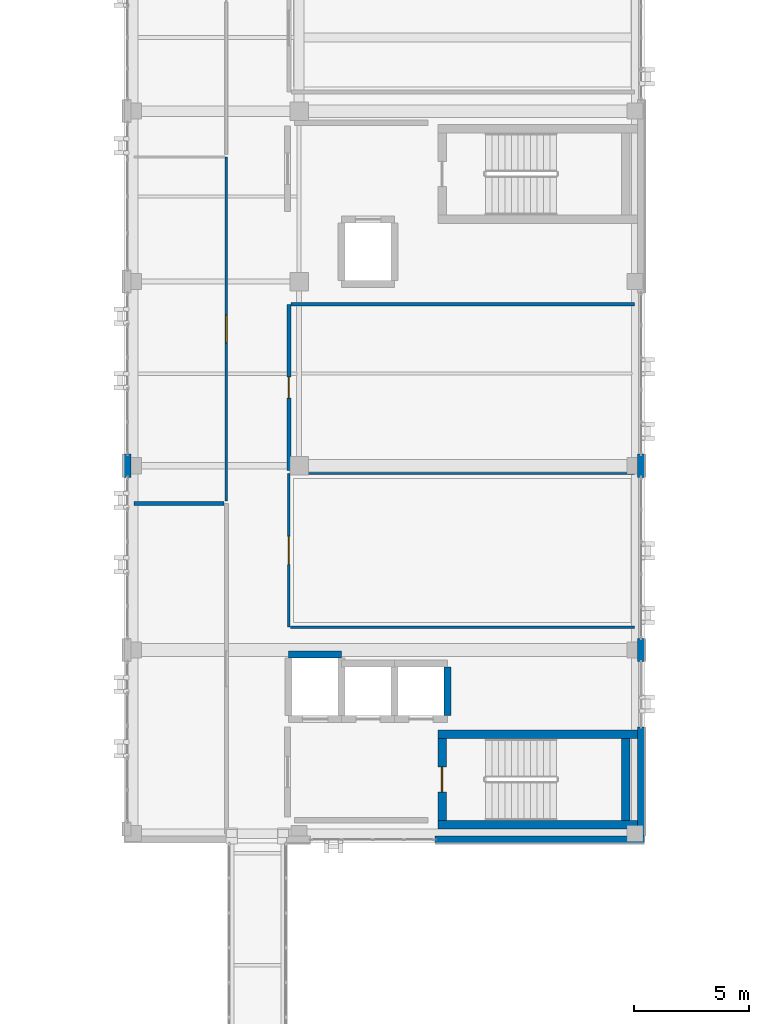
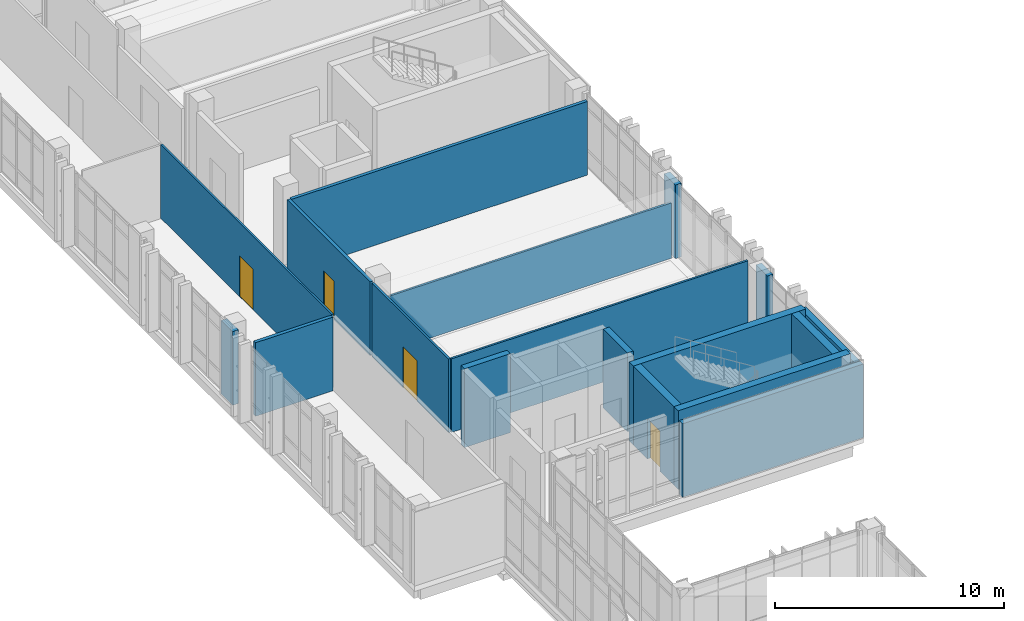
# One storey, part 136 of 165: 18 walls, 4 doors, 4 openings.
"""IFC4 building model written with IfcOpenShell, lengths in metres."""

from ifc_helpers import new_model, si_unit, direction, frame, frame_2d, origin, place, context, subcontext, project, spatial, rectangle, extrude, material, layer, layer_set, type_object, element, fill, save


model = new_model("IFC4")

# Units and contexts
model_context = context("Model", 3, precision=1e-05, world=origin(), true_north=direction((0.0, 1.0)))
body_context = subcontext(model_context, "Body", "Model", "MODEL_VIEW")
ifc_project = project(units=[si_unit("LENGTHUNIT", "METRE"), si_unit("AREAUNIT", "SQUARE_METRE"), si_unit("VOLUMEUNIT", "CUBIC_METRE"), si_unit("PLANEANGLEUNIT", "RADIAN"), si_unit("MASSUNIT", "GRAM", prefix="KILO")], contexts=[model_context])

# Site, building, storey
site_placement = place(None, origin())
site = spatial("IfcSite", under=ifc_project, at=site_placement, CompositionType="ELEMENT")
building_placement = place(site_placement, origin())
building = spatial("IfcBuilding", under=site, at=building_placement, Name="Qalavern Law Courts", CompositionType="ELEMENT")
storey_placement = place(building_placement, frame((0.0, 0.0, 14.39990234375)))
storey = spatial("IfcBuildingStorey", under=building, at=storey_placement, Name="L03", CompositionType="ELEMENT", Elevation=14.39990234375)

# Walls
ifc_material_1 = material(Name="Concrete C40/50", Category="concrete")
ifc_layer_1 = layer(ifc_material_1, 0.294921875)
ifc_layer_set_1 = layer_set([ifc_layer_1], Name="Concrete C40/50")
wall_type_1 = type_object("IfcWallType", Name="ENV-EW-295", PredefinedType="SOLIDWALL", material=ifc_layer_set_1)
wall_1_placement = place(storey_placement, frame((97.699951171875, 41.16748046875, 0.0), z_axis=(0.0, 0.0, 1.0), x_axis=(1.0, 0.0, 0.0)))
element("IfcWall", 1, at=wall_1_placement, inside=storey, type_object=wall_type_1, Name="V4 exterior pier wall L03 south 2", PredefinedType="SOLIDWALL", context=body_context, shape_type="SweptSolid", body=[
    extrude(rectangle(XDim=9.10009765625, YDim=0.294921875, at=frame_2d((4.550048828125, 0.0))), origin(), (0.0, 0.0, 1.0), 3.920166015625),
])
wall_2_placement = place(storey_placement, frame((106.652587890625, 41.31005859375, 0.0), z_axis=(0.0, 0.0, 1.0), x_axis=(0.0, 1.0, 0.0)))
element("IfcWall", 2, at=wall_2_placement, inside=storey, type_object=wall_type_1, Name="V4 exterior pier wall L03 east 1", PredefinedType="SOLIDWALL", context=body_context, shape_type="SweptSolid", body=[
    extrude(rectangle(XDim=4.739990234375, YDim=0.294921875, at=frame_2d((2.3701171875, 0.0))), origin(), (0.0, 0.0, 1.0), 3.920166015625),
])
for number, where, z_axis, x_axis, name in (
    (3, (106.652587890625, 48.89990234375, 0.0), (0.0, 0.0, 1.0), (0.0, 1.0, 0.0), "V4 exterior pier wall L03 east 2"),
    (4, (106.652587890625, 56.89990234375, 0.0), (0.0, 0.0, 1.0), (0.0, 1.0, 0.0), "V4 exterior pier wall L03 east 3"),
    (5, (84.347412109375, 57.89990234375, 0.0), (0.0, 0.0, 1.0), (0.0, -1.0, 0.0), "V4 exterior pier wall L03 west 5"),
):
    element("IfcWall", number, at=place(storey_placement, frame(where, z_axis=z_axis, x_axis=x_axis)), inside=storey, type_object=wall_type_1, Name=name, PredefinedType="SOLIDWALL", context=body_context, shape_type="SweptSolid", body=[
        extrude(rectangle(XDim=1.0, YDim=0.294921875, at=frame_2d((0.5, 0.0))), origin(), (0.0, 0.0, 1.0), 3.920166015625),
    ])
ifc_material_2 = material(Name="Concrete C45/55", Category="concrete")
ifc_layer_2 = layer(ifc_material_2, 0.375)
ifc_layer_set_2 = layer_set([ifc_layer_2], Name="Concrete C45/55")
wall_type_2 = type_object("IfcWallType", Name="INT-CW-375", PredefinedType="SHEAR", material=ifc_layer_set_2)
wall_3_placement = place(storey_placement, frame((97.824951171875, 41.8125, 0.0), z_axis=(0.0, 0.0, 1.0), x_axis=(1.0, 0.0, 0.0)))
element("IfcWall", 6, at=wall_3_placement, inside=storey, type_object=wall_type_2, Name="Core K1A stair shear wall L03 south", PredefinedType="SHEAR", context=body_context, shape_type="SweptSolid", body=[
    extrude(rectangle(XDim=8.677001953125, YDim=0.375, at=frame_2d((4.33837890625, 0.0))), origin(), (0.0, 0.0, 1.0), 4.2001953125),
])
wall_4_placement = place(storey_placement, frame((105.987548828125, 42.0, 0.0), z_axis=(0.0, 0.0, 1.0), x_axis=(0.0, 1.0, 0.0)))
element("IfcWall", 7, at=wall_4_placement, inside=storey, type_object=wall_type_2, Name="Core K1A stair shear wall L03 east", PredefinedType="SHEAR", context=body_context, shape_type="SweptSolid", body=[
    extrude(rectangle(XDim=3.550048828125, YDim=0.375, at=frame_2d((1.77490234375, 0.0))), origin(), (0.0, 0.0, 1.0), 4.2001953125),
])
wall_5_placement = place(storey_placement, frame((106.501953125, 45.737548828125, 0.0), z_axis=(0.0, 0.0, 1.0), x_axis=(-1.0, 0.0, 0.0)))
element("IfcWall", 8, at=wall_5_placement, inside=storey, type_object=wall_type_2, Name="Core K1A stair shear wall L03 north", PredefinedType="SHEAR", context=body_context, shape_type="SweptSolid", body=[
    extrude(rectangle(XDim=8.677001953125, YDim=0.375, at=frame_2d((4.33837890625, 0.0))), origin(), (0.0, 0.0, 1.0), 4.2001953125),
])

# Wall, opening, door
wall_6_placement = place(storey_placement, frame((98.012451171875, 45.550048828125, 0.0), z_axis=(0.0, 0.0, 1.0), x_axis=(0.0, -1.0, 0.0)))
wall_6 = element("IfcWall", 9, at=wall_6_placement, inside=storey, type_object=wall_type_2, Name="Core K1A stair shear wall L03 west", PredefinedType="SHEAR", context=body_context, shape_type="SweptSolid", body=[
    extrude(rectangle(XDim=3.550048828125, YDim=0.375, at=frame_2d((1.77490234375, 0.0))), origin(), (0.0, 0.0, 1.0), 4.2001953125),
])
opening_1_placement = place(wall_6_placement, frame((1.22509765625, 0.0, 0.0)))
opening_1 = element("IfcOpeningElement", 10, at=opening_1_placement, cuts=wall_6, Name="Opening L03-D011", PredefinedType="OPENING", context=body_context, shape_type="SweptSolid", body=[
    extrude(rectangle(XDim=1.10009765625, YDim=2.14990234375, at=frame_2d((0.550048828125, 1.074951171875))), frame((0.0, 0.202392578125, 0.0), z_axis=(0.0, -1.0, 0.0), x_axis=(1.0, 0.0, 0.0)), (0.0, 0.0, 1.0), 0.40478515625),
])
ifc_material_3 = material(Name="Steel fire-rated stair enclosure door", Category="steel")
door_type_1 = type_object("IfcDoorType", Name="INT-FD-1100x2150", OperationType="NOTDEFINED", PredefinedType="DOOR", material=ifc_material_3)
door_1_placement = place(opening_1_placement, frame((1.10009765625, 0.0, 0.0), z_axis=(0.0, 0.0, 1.0), x_axis=(-1.0, 0.0, 0.0)))
door_1 = element("IfcDoor", 11, at=door_1_placement, inside=storey, type_object=door_type_1, Name="Stair K1A fire door L03", OperationType="SINGLE_SWING_RIGHT", OverallHeight=2.14990234375, OverallWidth=1.10009765625, PredefinedType="DOOR", context=body_context, shape_type="SweptSolid", body=[
    extrude(rectangle(XDim=1.10009765625, YDim=2.14990234375, at=frame_2d((0.550048828125, 1.074951171875))), frame((0.0, 0.02490234375, 0.0), z_axis=(0.0, -1.0, 0.0), x_axis=(1.0, 0.0, 0.0)), (0.0, 0.0, 1.0), 0.050048828125),
])
fill(opening_1, door_1)

ifc_material_4 = material(Name="Gypsum shaft/chase partition")
ifc_layer_3 = layer(ifc_material_4, 0.092041015625)
ifc_layer_set_3 = layer_set([ifc_layer_3], Name="Gypsum shaft/chase partition")
wall_type_3 = type_object("IfcWallType", Name="INT-PW-092", PredefinedType="PARTITIONING", material=ifc_layer_set_3)
wall_7_placement = place(storey_placement, frame((88.639892578125, 55.8779296875, 0.0), z_axis=(0.0, 0.0, 1.0), x_axis=(0.0, 1.0, 0.0)))
wall_7 = element("IfcWall", 12, at=wall_7_placement, inside=storey, type_object=wall_type_3, Name="Civil Courtroom corridor partition L03", PredefinedType="PARTITIONING", context=body_context, shape_type="SweptSolid", body=[
    extrude(rectangle(XDim=14.926025390625, YDim=0.092041015625, at=frame_2d((7.462890625, 0.0))), origin(), (0.0, 0.0, 1.0), 3.920166015625),
])
opening_2_placement = place(wall_7_placement, frame((6.873046875, 0.0, 0.0)))
opening_2 = element("IfcOpeningElement", 13, at=opening_2_placement, cuts=wall_7, Name="Opening L03-D279", PredefinedType="OPENING", context=body_context, shape_type="SweptSolid", body=[
    extrude(rectangle(XDim=1.179931640625, YDim=2.159912109375, at=frame_2d((0.58984375, 1.080078125))), frame((0.0, 0.06103515625, 0.0), z_axis=(0.0, -1.0, 0.0), x_axis=(1.0, 0.0, 0.0)), (0.0, 0.0, 1.0), 0.121826171875),
])
ifc_material_5 = material(Name="Acoustic oak Jury Deliberation door")
door_type_2 = type_object("IfcDoorType", Name="INT-ID-1180x2160", OperationType="NOTDEFINED", PredefinedType="DOOR", material=ifc_material_5)
door_2_placement = place(opening_2_placement, frame((1.179931640625, 0.0, 0.0), z_axis=(0.0, 0.0, 1.0), x_axis=(-1.0, 0.0, 0.0)))
door_2 = element("IfcDoor", 14, at=door_2_placement, inside=storey, type_object=door_type_2, Name="Civil Courtroom door L03", OperationType="SINGLE_SWING_LEFT", OverallHeight=2.159912109375, OverallWidth=1.179931640625, PredefinedType="DOOR", context=body_context, shape_type="SweptSolid", body=[
    extrude(rectangle(XDim=1.179931640625, YDim=2.159912109375, at=frame_2d((0.58984375, 1.080078125))), frame((0.0, 0.02490234375, 0.0), z_axis=(0.0, -1.0, 0.0), x_axis=(1.0, 0.0, 0.0)), (0.0, 0.0, 1.0), 0.050048828125),
])
fill(opening_2, door_2)

ifc_material_6 = material(Name="Gypsum sanitary partition")
ifc_layer_4 = layer(ifc_material_6, 0.10205078125)
ifc_layer_set_4 = layer_set([ifc_layer_4], Name="Gypsum sanitary partition")
wall_type_4 = type_object("IfcWallType", Name="INT-PW-102", PredefinedType="PARTITIONING", material=ifc_layer_set_4)
wall_8_placement = place(storey_placement, frame((91.360107421875, 50.389892578125, 0.0), z_axis=(0.0, 0.0, 1.0), x_axis=(0.0, 1.0, 0.0)))
wall_8 = element("IfcWall", 15, at=wall_8_placement, inside=storey, type_object=wall_type_4, Name="Judges' Chambers corridor partition L03", PredefinedType="PARTITIONING", context=body_context, shape_type="SweptSolid", body=[
    extrude(rectangle(XDim=6.675048828125, YDim=0.10205078125, at=frame_2d((3.33740234375, 0.0))), origin(), (0.0, 0.0, 1.0), 3.920166015625),
])
opening_3_placement = place(wall_8_placement, frame((2.7275390625, 0.0, 0.0)))
opening_3 = element("IfcOpeningElement", 16, at=opening_3_placement, cuts=wall_8, Name="Opening L03-D281", PredefinedType="OPENING", context=body_context, shape_type="SweptSolid", body=[
    extrude(rectangle(XDim=1.219970703125, YDim=2.179931640625, at=frame_2d((0.60986328125, 1.08984375))), frame((0.0, 0.06591796875, 0.0), z_axis=(0.0, -1.0, 0.0), x_axis=(1.0, 0.0, 0.0)), (0.0, 0.0, 1.0), 0.1318359375),
])
ifc_material_7 = material(Name="Wide oak Plenary Boardroom door")
door_type_3 = type_object("IfcDoorType", Name="INT-ID-1220x2180", OperationType="NOTDEFINED", PredefinedType="DOOR", material=ifc_material_7)
door_3_placement = place(opening_3_placement, origin())
door_3 = element("IfcDoor", 17, at=door_3_placement, inside=storey, type_object=door_type_3, Name="Judges' Chambers door L03", OperationType="SINGLE_SWING_LEFT", OverallHeight=2.179931640625, OverallWidth=1.219970703125, PredefinedType="DOOR", context=body_context, shape_type="SweptSolid", body=[
    extrude(rectangle(XDim=1.219970703125, YDim=2.179931640625, at=frame_2d((0.60986328125, 1.08984375))), frame((0.0, 0.02490234375, 0.0), z_axis=(0.0, -1.0, 0.0), x_axis=(1.0, 0.0, 0.0)), (0.0, 0.0, 1.0), 0.050048828125),
])
fill(opening_3, door_3)

# Walls
wall_9_placement = place(storey_placement, frame((91.430908203125, 50.389892578125, 0.0), z_axis=(0.0, 0.0, 1.0), x_axis=(1.0, 0.0, 0.0)))
element("IfcWall", 18, at=wall_9_placement, inside=storey, type_object=wall_type_4, Name="Judges' Chambers cross partition L03 south", PredefinedType="PARTITIONING", context=body_context, shape_type="SweptSolid", body=[
    extrude(rectangle(XDim=14.92919921875, YDim=0.10205078125, at=frame_2d((7.464599609375, 0.0))), origin(), (0.0, 0.0, 1.0), 3.920166015625),
])
wall_10_placement = place(storey_placement, frame((91.430908203125, 57.06494140625, 0.0), z_axis=(0.0, 0.0, 1.0), x_axis=(1.0, 0.0, 0.0)))
element("IfcWall", 19, at=wall_10_placement, inside=storey, type_object=wall_type_4, Name="Judges' Chambers cross partition L03 north", PredefinedType="PARTITIONING", context=body_context, shape_type="SweptSolid", body=[
    extrude(rectangle(XDim=14.92919921875, YDim=0.10205078125, at=frame_2d((7.464599609375, 0.0))), origin(), (0.0, 0.0, 1.0), 2.9501953125),
])

# Wall, opening, door
ifc_material_8 = material(Name="Gypsum stud partition")
ifc_layer_5 = layer(ifc_material_8, 0.162109375)
ifc_layer_set_5 = layer_set([ifc_layer_5], Name="Gypsum stud partition")
wall_type_5 = type_object("IfcWallType", Name="INT-PW-162", PredefinedType="PARTITIONING", material=ifc_layer_set_5)
wall_11_placement = place(storey_placement, frame((91.360107421875, 57.18505859375, 0.0), z_axis=(0.0, 0.0, 1.0), x_axis=(0.0, 1.0, 0.0)))
wall_11 = element("IfcWall", 20, at=wall_11_placement, inside=storey, type_object=wall_type_5, Name="Public WC corridor partition L03", PredefinedType="PARTITIONING", context=body_context, shape_type="SweptSolid", body=[
    extrude(rectangle(XDim=7.224853515625, YDim=0.162109375, at=frame_2d((3.6123046875, 0.0))), origin(), (0.0, 0.0, 1.0), 3.920166015625),
])
opening_4_placement = place(wall_11_placement, frame((3.152587890625, 0.0, 0.0)))
opening_4 = element("IfcOpeningElement", 21, at=opening_4_placement, cuts=wall_11, Name="Opening L03-D282", PredefinedType="OPENING", context=body_context, shape_type="SweptSolid", body=[
    extrude(rectangle(XDim=0.919921875, YDim=2.06005859375, at=frame_2d((0.4599609375, 1.030029296875))), frame((0.0, 0.095947265625, 0.0), z_axis=(0.0, -1.0, 0.0), x_axis=(1.0, 0.0, 0.0)), (0.0, 0.0, 1.0), 0.19189453125),
])
ifc_material_9 = material(Name="Public and Staff WC door")
door_type_4 = type_object("IfcDoorType", Name="INT-ID-920x2060", OperationType="NOTDEFINED", PredefinedType="DOOR", material=ifc_material_9)
door_4_placement = place(opening_4_placement, origin())
door_4 = element("IfcDoor", 22, at=door_4_placement, inside=storey, type_object=door_type_4, Name="Public WC door L03", OperationType="SINGLE_SWING_RIGHT", OverallHeight=2.06005859375, OverallWidth=0.919921875, PredefinedType="DOOR", context=body_context, shape_type="SweptSolid", body=[
    extrude(rectangle(XDim=0.919921875, YDim=2.06005859375, at=frame_2d((0.4599609375, 1.030029296875))), frame((0.0, 0.02490234375, 0.0), z_axis=(0.0, -1.0, 0.0), x_axis=(1.0, 0.0, 0.0)), (0.0, 0.0, 1.0), 0.050048828125),
])
fill(opening_4, door_4)

# Walls
wall_12_placement = place(storey_placement, frame((91.4609375, 64.409912109375, 0.0), z_axis=(0.0, 0.0, 1.0), x_axis=(1.0, 0.0, 0.0)))
element("IfcWall", 23, at=wall_12_placement, inside=storey, type_object=wall_type_5, Name="Public WC cross partition L03 north", PredefinedType="PARTITIONING", context=body_context, shape_type="SweptSolid", body=[
    extrude(rectangle(XDim=14.899169921875, YDim=0.162109375, at=frame_2d((7.44970703125, 0.0))), origin(), (0.0, 0.0, 1.0), 3.920166015625),
])
ifc_material_10 = material(Name="Gypsum acoustic stud partition")
ifc_layer_6 = layer(ifc_material_10, 0.174072265625)
ifc_layer_set_6 = layer_set([ifc_layer_6], Name="Gypsum acoustic stud partition")
wall_type_6 = type_object("IfcWallType", Name="INT-PW-174", PredefinedType="PARTITIONING", material=ifc_layer_set_6)
wall_13_placement = place(storey_placement, frame((84.639892578125, 55.758056640625, 0.0), z_axis=(0.0, 0.0, 1.0), x_axis=(1.0, 0.0, 0.0)))
element("IfcWall", 24, at=wall_13_placement, inside=storey, type_object=wall_type_6, Name="Commercial Courtroom cross partition L03 north", PredefinedType="PARTITIONING", context=body_context, shape_type="SweptSolid", body=[
    extrude(rectangle(XDim=3.89306640625, YDim=0.174072265625, at=frame_2d((1.946533203125, 0.0))), origin(), (0.0, 0.0, 1.0), 3.920166015625),
])
ifc_layer_7 = layer(ifc_material_2, 0.304931640625)
ifc_layer_set_7 = layer_set([ifc_layer_7], Name="Concrete C45/55")
wall_type_7 = type_object("IfcWallType", Name="INT-SW-305", PredefinedType="SHEAR", material=ifc_layer_set_7)
wall_14_placement = place(storey_placement, frame((93.652587890625, 49.202392578125, 0.0), z_axis=(0.0, 0.0, 1.0), x_axis=(-1.0, 0.0, 0.0)))
element("IfcWall", 25, at=wall_14_placement, inside=storey, type_object=wall_type_7, Name="Lift LF-FF1 shaft wall L03 north", PredefinedType="SHEAR", context=body_context, shape_type="SweptSolid", body=[
    extrude(rectangle(XDim=2.30517578125, YDim=0.304931640625, at=frame_2d((1.152587890625, 0.0))), origin(), (0.0, 0.0, 1.0), 4.2001953125),
])
wall_15_placement = place(storey_placement, frame((98.25244140625, 46.550048828125, 0.0), z_axis=(0.0, 0.0, 1.0), x_axis=(0.0, 1.0, 0.0)))
element("IfcWall", 26, at=wall_15_placement, inside=storey, type_object=wall_type_7, Name="Lift LF-P2 shaft wall L03 east", PredefinedType="SHEAR", context=body_context, shape_type="SweptSolid", body=[
    extrude(rectangle(XDim=2.099853515625, YDim=0.304931640625, at=frame_2d((1.0498046875, 0.0))), origin(), (0.0, 0.0, 1.0), 4.2001953125),
])

save(model, "model.ifc")
